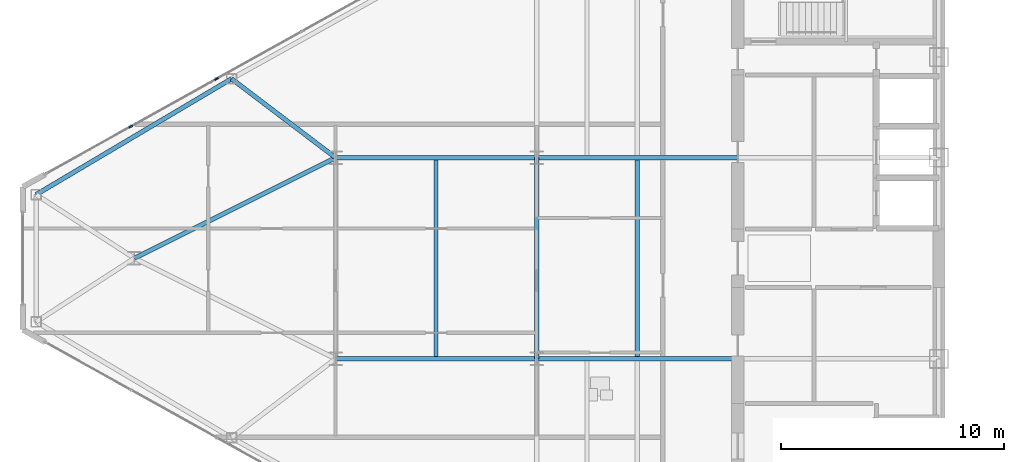
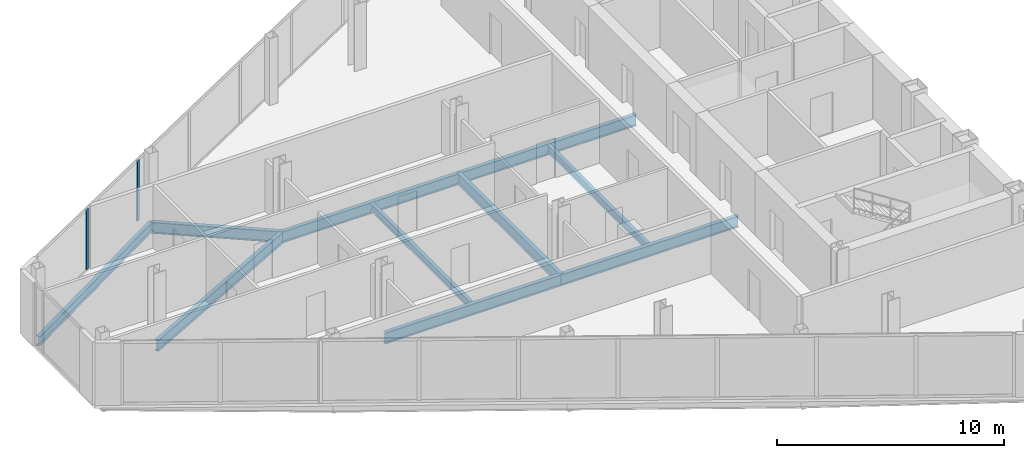
# One storey, part 6 of 26: 10 beams, 2 members, 1 element without a shape of its own.
"""IFC4 building model written with IfcOpenShell, lengths in metres."""

from ifc_helpers import new_model, si_unit, direction, frame, origin, origin_2d, place, context, subcontext, project, spatial, rectangle, i_section, extrude, source, transform, mapped, material, layer, layer_set, material_profile, profile_set, type_object, type_shapes, element, aggregate, save


model = new_model("IFC4")

# Units and contexts
model_context = context("Model", 3, precision=1e-05, world=origin(), true_north=direction((0.0, 1.0)))
body_context = subcontext(model_context, "Body", "Model", "MODEL_VIEW")
ifc_project = project(units=[si_unit("LENGTHUNIT", "METRE"), si_unit("AREAUNIT", "SQUARE_METRE"), si_unit("VOLUMEUNIT", "CUBIC_METRE"), si_unit("PLANEANGLEUNIT", "RADIAN"), si_unit("MASSUNIT", "GRAM", prefix="KILO")], contexts=[model_context])

# Site, building, storey
site_placement = place(None, origin())
site = spatial("IfcSite", under=ifc_project, at=site_placement, CompositionType="ELEMENT")
building_placement = place(site_placement, origin())
building = spatial("IfcBuilding", under=site, at=building_placement, Name="Seokmaru Belvedere", CompositionType="ELEMENT")
storey_placement = place(building_placement, frame((0.0, 0.0, 170.699951171875)))
storey = spatial("IfcBuildingStorey", under=building, at=storey_placement, Name="L45", CompositionType="ELEMENT", Elevation=170.699951171875)

# Beams
ifc_material_1 = material(Name="Steel SM355 (355 MPa)", Category="steel")
ifc_material_profile_1 = material_profile(ifc_material_1, i_section(OverallWidth=0.199951171875, OverallDepth=0.60009765625, WebThickness=0.010986328125, FlangeThickness=0.01708984375, at=origin_2d()), Name="H-600x200x11x17")
ifc_profile_set_1 = profile_set([ifc_material_profile_1], Name="Steel SM355 (355 MPa)")
beam_type_1 = type_object("IfcBeamType", Name="Primary Floor Girder H-600", PredefinedType="BEAM", material=ifc_profile_set_1)
shared_shape_1 = source(origin(), body_context, "Body", "SweptSolid", [
    extrude(i_section(OverallWidth=0.199951171875, OverallDepth=0.60009765625, WebThickness=0.010986328125, FlangeThickness=0.01708984375, at=origin_2d()), origin(), (0.0, 0.0, 1.0), 9.0),
])
for number, where, z_axis, x_axis, name in (
    (1, (-45.5, -4.5, -0.52001953125), (0.0, 1.0, 0.0), (-1.0, 0.0, 0.0), "L45 W Interior Grid Girder 2"),
    (2, (-45.5, -4.5, -0.52001953125), (1.0, 0.0, 0.0), (0.0, 1.0, 0.0), "L45 W Wing Primary Girder 2"),
    (3, (-45.5, 4.5, -0.52001953125), (1.0, 0.0, 0.0), (0.0, 1.0, 0.0), "L45 W Wing Primary Girder 3"),
    (4, (-54.5, -4.5, -0.52001953125), (1.0, 0.0, 0.0), (0.0, 1.0, 0.0), "L45 W Outer Wing Girder 1"),
    (5, (-54.5, 4.5, -0.52001953125), (1.0, 0.0, 0.0), (0.0, 1.0, 0.0), "L45 W Outer Wing Girder 2"),
):
    element("IfcBeam", number, at=place(storey_placement, frame(where, z_axis=z_axis, x_axis=x_axis)), inside=storey, type_object=beam_type_1, Name=name, PredefinedType="BEAM", context=body_context, shape_type="MappedRepresentation", body=[
        mapped(shared_shape_1, transform((0.0, 0.0, 0.0), scale=1.0)),
    ])
shared_shape_2 = source(origin(), body_context, "Body", "SweptSolid", [
    extrude(i_section(OverallWidth=0.199951171875, OverallDepth=0.60009765625, WebThickness=0.010986328125, FlangeThickness=0.01708984375, at=origin_2d()), origin(), (0.0, 0.0, 1.0), 10.062255859375),
])
beam_1_placement = place(storey_placement, frame((-54.5, 4.5, -0.52001953125), z_axis=(-0.894427191, -0.4472135955, 0.0), x_axis=(0.4472135955, -0.894427191, 0.0)))
element("IfcBeam", 6, at=beam_1_placement, inside=storey, type_object=beam_type_1, Name="L45 W Apex Converging Girder 2", PredefinedType="BEAM", context=body_context, shape_type="MappedRepresentation", body=[
    mapped(shared_shape_2, transform((0.0, 0.0, 0.0), scale=1.0)),
])
ifc_material_profile_2 = material_profile(ifc_material_1, i_section(OverallWidth=0.18505859375, OverallDepth=0.389892578125, WebThickness=0.008056640625, FlangeThickness=0.011962890625, at=origin_2d()), Name="H-390x185x8x12")
ifc_profile_set_2 = profile_set([ifc_material_profile_2], Name="Steel SM355 (355 MPa)")
beam_type_2 = type_object("IfcBeamType", Name="Secondary Floor Joist H-350", PredefinedType="JOIST", material=ifc_profile_set_2)
shared_shape_3 = source(origin(), body_context, "Body", "SweptSolid", [
    extrude(i_section(OverallWidth=0.18505859375, OverallDepth=0.389892578125, WebThickness=0.008056640625, FlangeThickness=0.011962890625, at=origin_2d()), origin(), (0.0, 0.0, 1.0), 8.7900390625),
])
type_shapes(beam_type_2, [shared_shape_3])
for number, where, z_axis, x_axis, name in (
    (7, (-41.0, -4.39501953125, -0.4150390625), (0.0, 1.0, 0.0), (-1.0, 0.0, 0.0), "L45 W Secondary Floor Joist 2"),
    (8, (-50.0, -4.39501953125, -0.4150390625), (0.0, 1.0, 0.0), (-1.0, 0.0, 0.0), "L45 W Outer Bay Secondary Joist"),
):
    element("IfcBeam", number, at=place(storey_placement, frame(where, z_axis=z_axis, x_axis=x_axis)), inside=storey, type_object=beam_type_2, Name=name, PredefinedType="JOIST", context=body_context, shape_type="MappedRepresentation", body=[
        mapped(shared_shape_3, transform((0.0, 0.0, 0.0), scale=1.0)),
    ])
ifc_material_profile_3 = material_profile(ifc_material_1, i_section(OverallWidth=0.199951171875, OverallDepth=0.5, WebThickness=0.010009765625, FlangeThickness=0.01611328125, at=origin_2d()), Name="H-500x200x10x16")
ifc_profile_set_3 = profile_set([ifc_material_profile_3], Name="Steel SM355 (355 MPa)")
beam_type_3 = type_object("IfcBeamType", Name="Perimeter Spandrel Beam H-500", PredefinedType="SPANDREL", material=ifc_profile_set_3)
shared_shape_4 = source(origin(), body_context, "Body", "SweptSolid", [
    extrude(i_section(OverallWidth=0.199951171875, OverallDepth=0.5, WebThickness=0.010009765625, FlangeThickness=0.01611328125, at=origin_2d()), origin(), (0.0, 0.0, 1.0), 10.16650390625),
])
type_shapes(beam_type_3, [shared_shape_4])
beam_2_placement = place(storey_placement, frame((-59.154541015625, 8.031494140625, -0.469970703125), z_axis=(-0.860209996506, -0.509939959124, 0.0), x_axis=(0.509939959124, -0.860209996506, 0.0)))
element("IfcBeam", 9, at=beam_2_placement, inside=storey, type_object=beam_type_3, Name="L45 W Faceted Flank Spandrel N-4", PredefinedType="SPANDREL", context=body_context, shape_type="MappedRepresentation", body=[
    mapped(shared_shape_4, transform((0.0, 0.0, 0.0), scale=1.0)),
])
shared_shape_5 = source(origin(), body_context, "Body", "SweptSolid", [
    extrude(i_section(OverallWidth=0.199951171875, OverallDepth=0.60009765625, WebThickness=0.010986328125, FlangeThickness=0.01708984375, at=origin_2d()), origin(), (0.0, 0.0, 1.0), 5.842529296875),
])
type_shapes(beam_type_1, [shared_shape_1, shared_shape_2, shared_shape_5])
beam_3_placement = place(storey_placement, frame((-59.154541015625, 8.031494140625, -0.52001953125), z_axis=(0.796653109879, -0.604436781243, 0.0), x_axis=(0.604436781243, 0.796653109879, 0.0)))
element("IfcBeam", 10, at=beam_3_placement, inside=storey, type_object=beam_type_1, Name="L45 W Flank Radial Floor Girder N-3", PredefinedType="BEAM", context=body_context, shape_type="MappedRepresentation", body=[
    mapped(shared_shape_5, transform((0.0, 0.0, 0.0), scale=1.0)),
])

# Curtain wall, members
ifc_material_2 = material(Name="Bronze Triple Insulating Glass", Category="glass")
ifc_layer = layer(ifc_material_2, 0.179931640625)
ifc_layer_set = layer_set([ifc_layer], Name="Bronze Triple Insulating Glass")
curtain_wall_type = type_object("IfcCurtainWallType", Name="High-Rise Wind-Corner Curtain Wall System CW-5", PredefinedType="NOTDEFINED", material=ifc_layer_set)
curtain_wall_placement = place(storey_placement, origin())
curtain_wall = element("IfcCurtainWall", 11, at=curtain_wall_placement, inside=storey, type_object=curtain_wall_type, Name="L45 Curtain Wall WF3", PredefinedType="NOTDEFINED")
ifc_material_3 = material(Name="Anodised Bronze Aluminium", Category="aluminium")
ifc_material_profile_4 = material_profile(ifc_material_3, rectangle(XDim=0.06494140625, YDim=0.179931640625, at=origin_2d()), Name="CW-M-65x180")
ifc_profile_set_4 = profile_set([ifc_material_profile_4], Name="Anodised Bronze Aluminium")
member_type = type_object("IfcMemberType", Name="Bronze Unitised Mullion 65x180", PredefinedType="MULLION", material=ifc_profile_set_4)
shared_shape_6 = source(origin(), body_context, "Body", "SweptSolid", [
    extrude(rectangle(XDim=0.06494140625, YDim=0.179931640625, at=origin_2d()), origin(), (0.0, 0.0, 1.0), 3.25),
])
type_shapes(member_type, [shared_shape_6])
member_1_placement = place(storey_placement, frame((-59.83056640625, 8.021728515625, 0.06494140625), z_axis=(0.0, 0.0, 1.0), x_axis=(0.486047125147, -0.873932601598, 0.0)))
member_1 = element("IfcMember", 12, at=member_1_placement, type_object=member_type, Name="CW:L45:WF3 Mullion 8", PredefinedType="MULLION", context=body_context, shape_type="MappedRepresentation", body=[
    mapped(shared_shape_6, transform((0.0, 0.0, 0.0), scale=1.0)),
])
member_2_placement = place(storey_placement, frame((-63.662841796875, 5.890380859375, 0.06494140625), z_axis=(0.0, 0.0, 1.0), x_axis=(0.486047125147, -0.873932601598, 0.0)))
member_2 = element("IfcMember", 13, at=member_2_placement, type_object=member_type, Name="CW:L45:WF3 Mullion 9", PredefinedType="MULLION", context=body_context, shape_type="MappedRepresentation", body=[
    mapped(shared_shape_6, transform((0.0, 0.0, 0.0), scale=1.0)),
])
aggregate(curtain_wall, [member_1, member_2])

save(model, "model.ifc")
